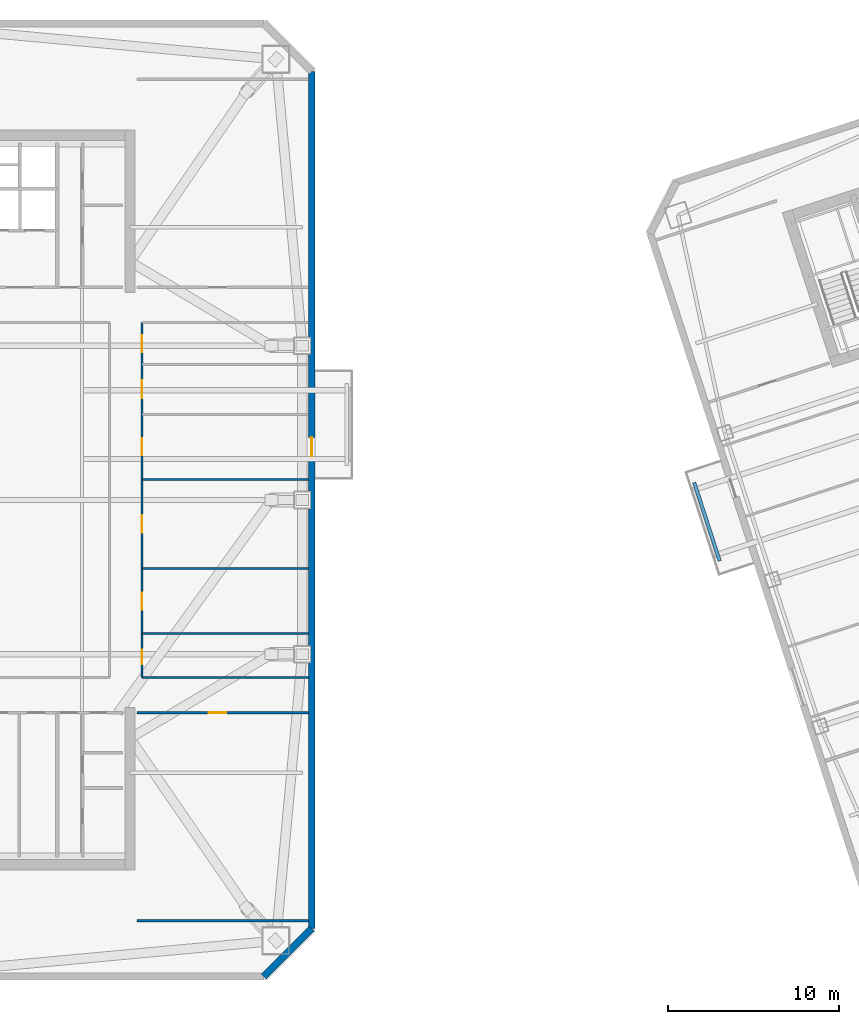
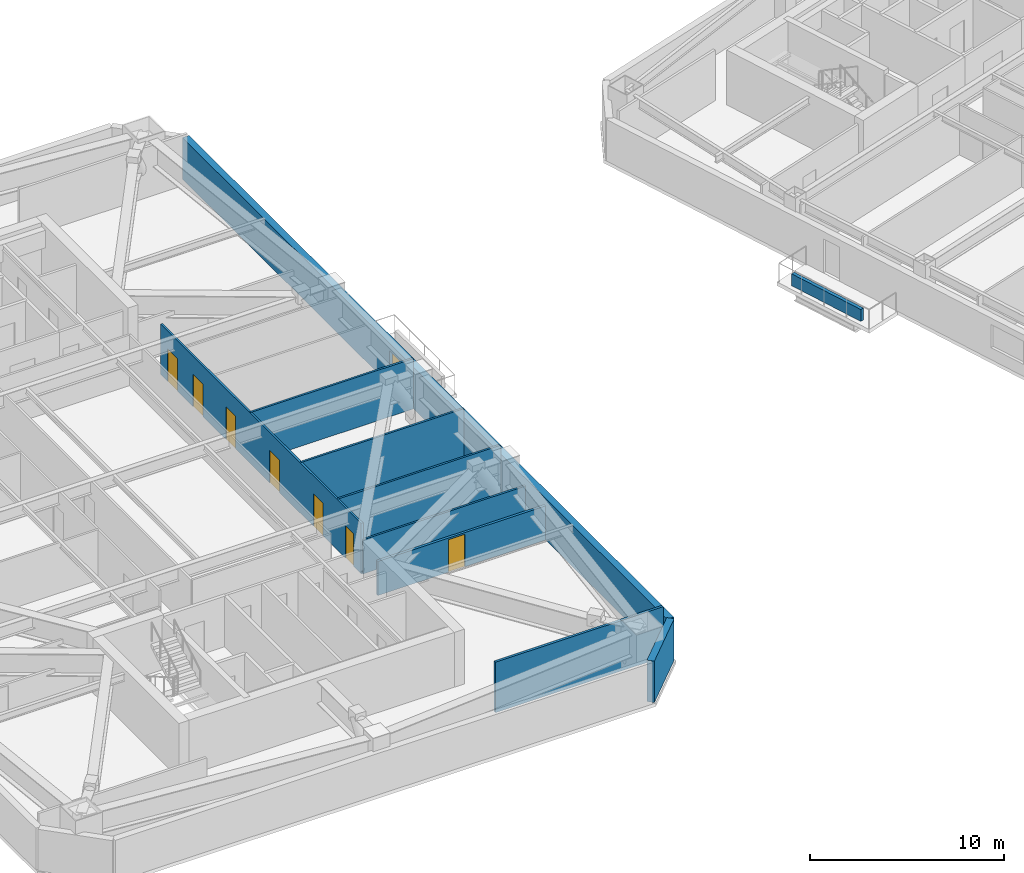
# One storey, part 7 of 17: 10 walls, 8 doors, 8 openings.
"""IFC4 building model written with IfcOpenShell, lengths in metres."""

from ifc_helpers import new_model, si_unit, direction, frame, frame_2d, origin, place, context, subcontext, project, spatial, rectangle, extrude, material, layer, layer_set, type_object, element, fill, save


model = new_model("IFC4")

# Units and contexts
model_context = context("Model", 3, precision=1e-05, world=origin(), true_north=direction((0.0, 1.0)))
body_context = subcontext(model_context, "Body", "Model", "MODEL_VIEW")
ifc_project = project(units=[si_unit("LENGTHUNIT", "METRE"), si_unit("AREAUNIT", "SQUARE_METRE"), si_unit("VOLUMEUNIT", "CUBIC_METRE"), si_unit("PLANEANGLEUNIT", "RADIAN"), si_unit("MASSUNIT", "GRAM", prefix="KILO")], contexts=[model_context])

# Site, building, storey
site_placement = place(None, origin())
site = spatial("IfcSite", under=ifc_project, at=site_placement, CompositionType="ELEMENT")
building_placement = place(site_placement, origin())
building = spatial("IfcBuilding", under=site, at=building_placement, Name="Qiaolan Cultural Towers", CompositionType="ELEMENT")
storey_placement = place(building_placement, frame((0.0, 0.0, 156.39990234375)))
storey = spatial("IfcBuildingStorey", under=building, at=storey_placement, Name="L41", CompositionType="ELEMENT", Elevation=156.39990234375)

# Wall, opening, door
ifc_material_1 = material(Name="Precast Concrete C50 Honed Stone Pier", Category="masonry")
ifc_layer_1 = layer(ifc_material_1, 0.39990234375)
ifc_layer_set_1 = layer_set([ifc_layer_1], Name="Precast Concrete C50 Honed Stone Pier")
wall_type_1 = type_object("IfcWallType", Name="WL-EXT-PIER-400", PredefinedType="SOLIDWALL", material=ifc_layer_set_1)
wall_1_placement = place(storey_placement, frame((48.800048828125, 59.0, 0.0), z_axis=(0.0, 0.0, 1.0), x_axis=(0.0, -1.0, 0.0)))
wall_1 = element("IfcWall", 1, at=wall_1_placement, inside=storey, type_object=wall_type_1, Name="L41 West Tower Precast Pier Facade Wall F5", PredefinedType="SOLIDWALL", context=body_context, shape_type="SweptSolid", body=[
    extrude(rectangle(XDim=50.0, YDim=0.39990234375, at=frame_2d((25.0, 0.0))), origin(), (0.0, 0.0, 1.0), 2.610107421875),
])
opening_1_placement = place(wall_1_placement, frame((21.35009765625, 0.0, 0.0)))
opening_1 = element("IfcOpeningElement", 2, at=opening_1_placement, cuts=wall_1, Name="Opening BD-01", PredefinedType="OPENING", context=body_context, shape_type="SweptSolid", body=[
    extrude(rectangle(XDim=1.10009765625, YDim=2.14990234375, at=frame_2d((0.550048828125, 1.074951171875))), frame((0.0, 0.2099609375, 0.0), z_axis=(0.0, -1.0, 0.0), x_axis=(1.0, 0.0, 0.0)), (0.0, 0.0, 1.0), 0.419921875),
])
ifc_material_2 = material(Name="Thermally Broken Aluminium Glazed Terrace Door", Category="aluminium")
door_type_1 = type_object("IfcDoorType", Name="DR-BAL-1100", OperationType="NOTDEFINED", PredefinedType="DOOR", material=ifc_material_2)
door_1_placement = place(opening_1_placement, origin())
door_1 = element("IfcDoor", 3, at=door_1_placement, inside=storey, type_object=door_type_1, Name="L41 T1 East Tree Balcony Door", OperationType="SINGLE_SWING_RIGHT", OverallHeight=2.14990234375, OverallWidth=1.10009765625, PredefinedType="DOOR", context=body_context, shape_type="SweptSolid", body=[
    extrude(rectangle(XDim=1.10009765625, YDim=2.14990234375, at=frame_2d((0.550048828125, 1.074951171875))), frame((0.0, 0.02490234375, 0.0), z_axis=(0.0, -1.0, 0.0), x_axis=(1.0, 0.0, 0.0)), (0.0, 0.0, 1.0), 0.050048828125),
])
fill(opening_1, door_1)

# Walls
wall_2_placement = place(storey_placement, frame((48.800048828125, 9.0, 0.0), z_axis=(0.0, 0.0, 1.0), x_axis=(-0.707106781187, -0.707106781187, 0.0)))
element("IfcWall", 4, at=wall_2_placement, inside=storey, type_object=wall_type_1, Name="L41 West Tower Precast Pier Facade Wall F6", PredefinedType="SOLIDWALL", context=body_context, shape_type="SweptSolid", body=[
    extrude(rectangle(XDim=3.9599609375, YDim=0.39990234375, at=frame_2d((1.97998046875, 0.0))), origin(), (0.0, 0.0, 1.0), 2.610107421875),
])
ifc_material_3 = material(Name="Gypsum Stud Acoustic Partition", Category="gypsum")
ifc_layer_2 = layer(ifc_material_3, 0.1201171875)
ifc_layer_set_2 = layer_set([ifc_layer_2], Name="Gypsum Stud Acoustic Partition")
wall_type_2 = type_object("IfcWallType", Name="WL-PART-120", PredefinedType="PARTITIONING", material=ifc_layer_set_2)
wall_3_placement = place(storey_placement, frame((38.89990234375, 23.64990234375, 0.0), z_axis=(0.0, 0.0, 1.0), x_axis=(1.0, 0.0, 0.0)))
element("IfcWall", 5, at=wall_3_placement, inside=storey, type_object=wall_type_2, Name="L41 T1 Interior Wall", PredefinedType="PARTITIONING", context=body_context, shape_type="SweptSolid", body=[
    extrude(rectangle(XDim=9.7001953125, YDim=0.1201171875, at=frame_2d((4.85009765625, 0.0))), origin(), (0.0, 0.0, 1.0), 2.150146484375),
])

# Wall, openings, doors
wall_4_placement = place(storey_placement, frame((38.89990234375, 23.64990234375, 0.0), z_axis=(0.0, 0.0, 1.0), x_axis=(0.0, 1.0, 0.0)))
wall_4 = element("IfcWall", 6, at=wall_4_placement, inside=storey, type_object=wall_type_2, Name="L41 T1 Interior Wall", PredefinedType="PARTITIONING", context=body_context, shape_type="SweptSolid", body=[
    extrude(rectangle(XDim=20.7001953125, YDim=0.1201171875, at=frame_2d((10.35009765625, 0.0))), origin(), (0.0, 0.0, 1.0), 3.175048828125),
])
opening_2_placement = place(wall_4_placement, frame((0.77490234375, 0.0, 0.0)))
opening_2 = element("IfcOpeningElement", 7, at=opening_2_placement, cuts=wall_4, Name="Opening ID-09", PredefinedType="OPENING", context=body_context, shape_type="SweptSolid", body=[
    extrude(rectangle(XDim=0.85009765625, YDim=2.050048828125, at=frame_2d((0.425048828125, 1.02490234375))), frame((0.0, 0.070068359375, 0.0), z_axis=(0.0, -1.0, 0.0), x_axis=(1.0, 0.0, 0.0)), (0.0, 0.0, 1.0), 0.14013671875),
])
opening_3_placement = place(wall_4_placement, frame((3.949951171875, 0.0, 0.0)))
opening_3 = element("IfcOpeningElement", 8, at=opening_3_placement, cuts=wall_4, Name="Opening ID-04", PredefinedType="OPENING", context=body_context, shape_type="SweptSolid", body=[
    extrude(rectangle(XDim=1.0, YDim=2.050048828125, at=frame_2d((0.5, 1.02490234375))), frame((0.0, 0.070068359375, 0.0), z_axis=(0.0, -1.0, 0.0), x_axis=(1.0, 0.0, 0.0)), (0.0, 0.0, 1.0), 0.14013671875),
])
opening_4_placement = place(wall_4_placement, frame((8.449951171875, 0.0, 0.0)))
opening_4 = element("IfcOpeningElement", 9, at=opening_4_placement, cuts=wall_4, Name="Opening ID-04", PredefinedType="OPENING", context=body_context, shape_type="SweptSolid", body=[
    extrude(rectangle(XDim=1.0, YDim=2.050048828125, at=frame_2d((0.5, 1.02490234375))), frame((0.0, 0.070068359375, 0.0), z_axis=(0.0, -1.0, 0.0), x_axis=(1.0, 0.0, 0.0)), (0.0, 0.0, 1.0), 0.14013671875),
])
opening_5_placement = place(wall_4_placement, frame((12.949951171875, 0.0, 0.0)))
opening_5 = element("IfcOpeningElement", 10, at=opening_5_placement, cuts=wall_4, Name="Opening ID-04", PredefinedType="OPENING", context=body_context, shape_type="SweptSolid", body=[
    extrude(rectangle(XDim=1.0, YDim=2.050048828125, at=frame_2d((0.5, 1.02490234375))), frame((0.0, 0.070068359375, 0.0), z_axis=(0.0, -1.0, 0.0), x_axis=(1.0, 0.0, 0.0)), (0.0, 0.0, 1.0), 0.14013671875),
])
opening_6_placement = place(wall_4_placement, frame((16.299072265625, 0.0, 0.0)))
opening_6 = element("IfcOpeningElement", 11, at=opening_6_placement, cuts=wall_4, Name="Opening ID-07", PredefinedType="OPENING", context=body_context, shape_type="SweptSolid", body=[
    extrude(rectangle(XDim=1.050048828125, YDim=2.050048828125, at=frame_2d((0.52490234375, 1.02490234375))), frame((0.0, 0.070068359375, 0.0), z_axis=(0.0, -1.0, 0.0), x_axis=(1.0, 0.0, 0.0)), (0.0, 0.0, 1.0), 0.14013671875),
])
opening_7_placement = place(wall_4_placement, frame((18.97412109375, 0.0, 0.0)))
opening_7 = element("IfcOpeningElement", 12, at=opening_7_placement, cuts=wall_4, Name="Opening ID-04", PredefinedType="OPENING", context=body_context, shape_type="SweptSolid", body=[
    extrude(rectangle(XDim=1.0, YDim=2.050048828125, at=frame_2d((0.5, 1.02490234375))), frame((0.0, 0.070068359375, 0.0), z_axis=(0.0, -1.0, 0.0), x_axis=(1.0, 0.0, 0.0)), (0.0, 0.0, 1.0), 0.14013671875),
])
ifc_material_4 = material(Name="Oak Veneer Acoustic Office Door", Category="timber")
door_type_2 = type_object("IfcDoorType", Name="DR-INT-1000", OperationType="NOTDEFINED", PredefinedType="DOOR", material=ifc_material_4)
door_2_placement = place(opening_3_placement, origin())
door_2 = element("IfcDoor", 13, at=door_2_placement, inside=storey, type_object=door_type_2, Name="L41 T1 Art Consultancy Shop Door", OperationType="SINGLE_SWING_LEFT", OverallHeight=2.050048828125, OverallWidth=1.0, PredefinedType="DOOR", context=body_context, shape_type="SweptSolid", body=[
    extrude(rectangle(XDim=1.0, YDim=2.050048828125, at=frame_2d((0.5, 1.02490234375))), frame((0.0, 0.02490234375, 0.0), z_axis=(0.0, -1.0, 0.0), x_axis=(1.0, 0.0, 0.0)), (0.0, 0.0, 1.0), 0.050048828125),
])
fill(opening_3, door_2)
door_3_placement = place(opening_4_placement, origin())
door_3 = element("IfcDoor", 14, at=door_3_placement, inside=storey, type_object=door_type_2, Name="L41 T1 Art Consultancy Shop Door", OperationType="SINGLE_SWING_RIGHT", OverallHeight=2.050048828125, OverallWidth=1.0, PredefinedType="DOOR", context=body_context, shape_type="SweptSolid", body=[
    extrude(rectangle(XDim=1.0, YDim=2.050048828125, at=frame_2d((0.5, 1.02490234375))), frame((0.0, 0.02490234375, 0.0), z_axis=(0.0, -1.0, 0.0), x_axis=(1.0, 0.0, 0.0)), (0.0, 0.0, 1.0), 0.050048828125),
])
fill(opening_4, door_3)
door_4_placement = place(opening_5_placement, origin())
door_4 = element("IfcDoor", 15, at=door_4_placement, inside=storey, type_object=door_type_2, Name="L41 T1 Art Consultancy Shop Door", OperationType="SINGLE_SWING_LEFT", OverallHeight=2.050048828125, OverallWidth=1.0, PredefinedType="DOOR", context=body_context, shape_type="SweptSolid", body=[
    extrude(rectangle(XDim=1.0, YDim=2.050048828125, at=frame_2d((0.5, 1.02490234375))), frame((0.0, 0.02490234375, 0.0), z_axis=(0.0, -1.0, 0.0), x_axis=(1.0, 0.0, 0.0)), (0.0, 0.0, 1.0), 0.050048828125),
])
fill(opening_5, door_4)
door_5_placement = place(opening_7_placement, origin())
door_5 = element("IfcDoor", 16, at=door_5_placement, inside=storey, type_object=door_type_2, Name="L41 T1 Tea Bar Door", OperationType="SINGLE_SWING_LEFT", OverallHeight=2.050048828125, OverallWidth=1.0, PredefinedType="DOOR", context=body_context, shape_type="SweptSolid", body=[
    extrude(rectangle(XDim=1.0, YDim=2.050048828125, at=frame_2d((0.5, 1.02490234375))), frame((0.0, 0.02490234375, 0.0), z_axis=(0.0, -1.0, 0.0), x_axis=(1.0, 0.0, 0.0)), (0.0, 0.0, 1.0), 0.050048828125),
])
fill(opening_7, door_5)
ifc_material_5 = material(Name="Oak Veneer Consultation Door", Category="timber")
door_type_3 = type_object("IfcDoorType", Name="DR-INT-1050", OperationType="NOTDEFINED", PredefinedType="DOOR", material=ifc_material_5)
door_6_placement = place(opening_6_placement, origin())
door_6 = element("IfcDoor", 17, at=door_6_placement, inside=storey, type_object=door_type_3, Name="L41 T1 Executive Office Door", OperationType="SINGLE_SWING_RIGHT", OverallHeight=2.050048828125, OverallWidth=1.050048828125, PredefinedType="DOOR", context=body_context, shape_type="SweptSolid", body=[
    extrude(rectangle(XDim=1.050048828125, YDim=2.050048828125, at=frame_2d((0.52490234375, 1.02490234375))), frame((0.0, 0.02490234375, 0.0), z_axis=(0.0, -1.0, 0.0), x_axis=(1.0, 0.0, 0.0)), (0.0, 0.0, 1.0), 0.050048828125),
])
fill(opening_6, door_6)
ifc_material_6 = material(Name="Moisture-Resistant Laminate Utility Door", Category="timber")
door_type_4 = type_object("IfcDoorType", Name="DR-INT-850", OperationType="NOTDEFINED", PredefinedType="DOOR", material=ifc_material_6)
door_7_placement = place(opening_2_placement, origin())
door_7 = element("IfcDoor", 18, at=door_7_placement, inside=storey, type_object=door_type_4, Name="L41 T1 Art Consultancy Shop Door", OperationType="SINGLE_SWING_RIGHT", OverallHeight=2.050048828125, OverallWidth=0.85009765625, PredefinedType="DOOR", context=body_context, shape_type="SweptSolid", body=[
    extrude(rectangle(XDim=0.85009765625, YDim=2.050048828125, at=frame_2d((0.425048828125, 1.02490234375))), frame((0.0, 0.02490234375, 0.0), z_axis=(0.0, -1.0, 0.0), x_axis=(1.0, 0.0, 0.0)), (0.0, 0.0, 1.0), 0.050048828125),
])
fill(opening_2, door_7)

# Walls
for number, where, z_axis, x_axis, name in (
    (19, (38.89990234375, 26.199951171875, 0.0), (0.0, 0.0, 1.0), (1.0, 0.0, 0.0), "L41 T1 Interior Wall"),
    (20, (38.89990234375, 30.0, 0.0), (0.0, 0.0, 1.0), (1.0, 0.0, 0.0), "L41 T1 Interior Wall"),
    (21, (38.89990234375, 35.199951171875, 0.0), (0.0, 0.0, 1.0), (1.0, 0.0, 0.0), "L41 T1 Interior Wall"),
):
    element("IfcWall", number, at=place(storey_placement, frame(where, z_axis=z_axis, x_axis=x_axis)), inside=storey, type_object=wall_type_2, Name=name, PredefinedType="PARTITIONING", context=body_context, shape_type="SweptSolid", body=[
        extrude(rectangle(XDim=9.7001953125, YDim=0.1201171875, at=frame_2d((4.85009765625, 0.0))), origin(), (0.0, 0.0, 1.0), 3.175048828125),
    ])
ifc_material_7 = material(Name="Autoclaved Aerated Concrete Block B06", Category="concrete")
ifc_layer_3 = layer(ifc_material_7, 0.14990234375)
ifc_layer_set_3 = layer_set([ifc_layer_3], Name="Autoclaved Aerated Concrete Block B06")
wall_type_3 = type_object("IfcWallType", Name="WL-PART-150", PredefinedType="PARTITIONING", material=ifc_layer_set_3)
wall_5_placement = place(storey_placement, frame((38.60009765625, 9.449951171875, 0.0), z_axis=(0.0, 0.0, 1.0), x_axis=(1.0, 0.0, 0.0)))
element("IfcWall", 22, at=wall_5_placement, inside=storey, type_object=wall_type_3, Name="L41 T1 Flank Wall FLK-SE", PredefinedType="PARTITIONING", context=body_context, shape_type="SweptSolid", body=[
    extrude(rectangle(XDim=10.0, YDim=0.14990234375, at=frame_2d((5.0, 0.0))), origin(), (0.0, 0.0, 1.0), 3.175048828125),
])

# Wall, opening, door
wall_6_placement = place(storey_placement, frame((38.60009765625, 21.60009765625, 0.0), z_axis=(0.0, 0.0, 1.0), x_axis=(1.0, 0.0, 0.0)))
wall_6 = element("IfcWall", 23, at=wall_6_placement, inside=storey, type_object=wall_type_3, Name="L41 T1 Flank Front FLK-SE", PredefinedType="PARTITIONING", context=body_context, shape_type="SweptSolid", body=[
    extrude(rectangle(XDim=10.0, YDim=0.14990234375, at=frame_2d((5.0, 0.0))), origin(), (0.0, 0.0, 1.0), 2.150146484375),
])
opening_8_placement = place(wall_6_placement, frame((4.199951171875, 0.0, 0.0)))
opening_8 = element("IfcOpeningElement", 24, at=opening_8_placement, cuts=wall_6, Name="Opening ID-04", PredefinedType="OPENING", context=body_context, shape_type="SweptSolid", body=[
    extrude(rectangle(XDim=1.0, YDim=2.050048828125, at=frame_2d((0.5, 1.02490234375))), frame((0.0, 0.0849609375, 0.0), z_axis=(0.0, -1.0, 0.0), x_axis=(1.0, 0.0, 0.0)), (0.0, 0.0, 1.0), 0.169921875),
])
door_8_placement = place(opening_8_placement, origin())
door_8 = element("IfcDoor", 25, at=door_8_placement, inside=storey, type_object=door_type_2, Name="L41 T1 Corner Studio Door", OperationType="SINGLE_SWING_LEFT", OverallHeight=2.050048828125, OverallWidth=1.0, PredefinedType="DOOR", context=body_context, shape_type="SweptSolid", body=[
    extrude(rectangle(XDim=1.0, YDim=2.050048828125, at=frame_2d((0.5, 1.02490234375))), frame((0.0, 0.02490234375, 0.0), z_axis=(0.0, -1.0, 0.0), x_axis=(1.0, 0.0, 0.0)), (0.0, 0.0, 1.0), 0.050048828125),
])
fill(opening_8, door_8)

# Wall
ifc_material_8 = material(Name="Precast Concrete C45 Tree Planter Upstand", Category="concrete")
ifc_layer_4 = layer(ifc_material_8, 0.199951171875)
ifc_layer_set_4 = layer_set([ifc_layer_4], Name="Precast Concrete C45 Tree Planter Upstand")
wall_type_4 = type_object("IfcWallType", Name="WL-PLANTER-200", PredefinedType="PARAPET", material=ifc_layer_set_4)
wall_7_placement = place(storey_placement, frame((72.595703125, 30.447998046875, 0.0), z_axis=(0.0, 0.0, 1.0), x_axis=(-0.30900096172, 0.951061725471, 0.0)))
element("IfcWall", 26, at=wall_7_placement, inside=storey, type_object=wall_type_4, Name="L41 T2 Tree Balcony Soil Planter Box W", PredefinedType="PARAPET", context=body_context, shape_type="SweptSolid", body=[
    extrude(rectangle(XDim=4.7998046875, YDim=0.199951171875, at=frame_2d((2.39990234375, 0.0))), origin(), (0.0, 0.0, 1.0), 0.75),
])

save(model, "model.ifc")
